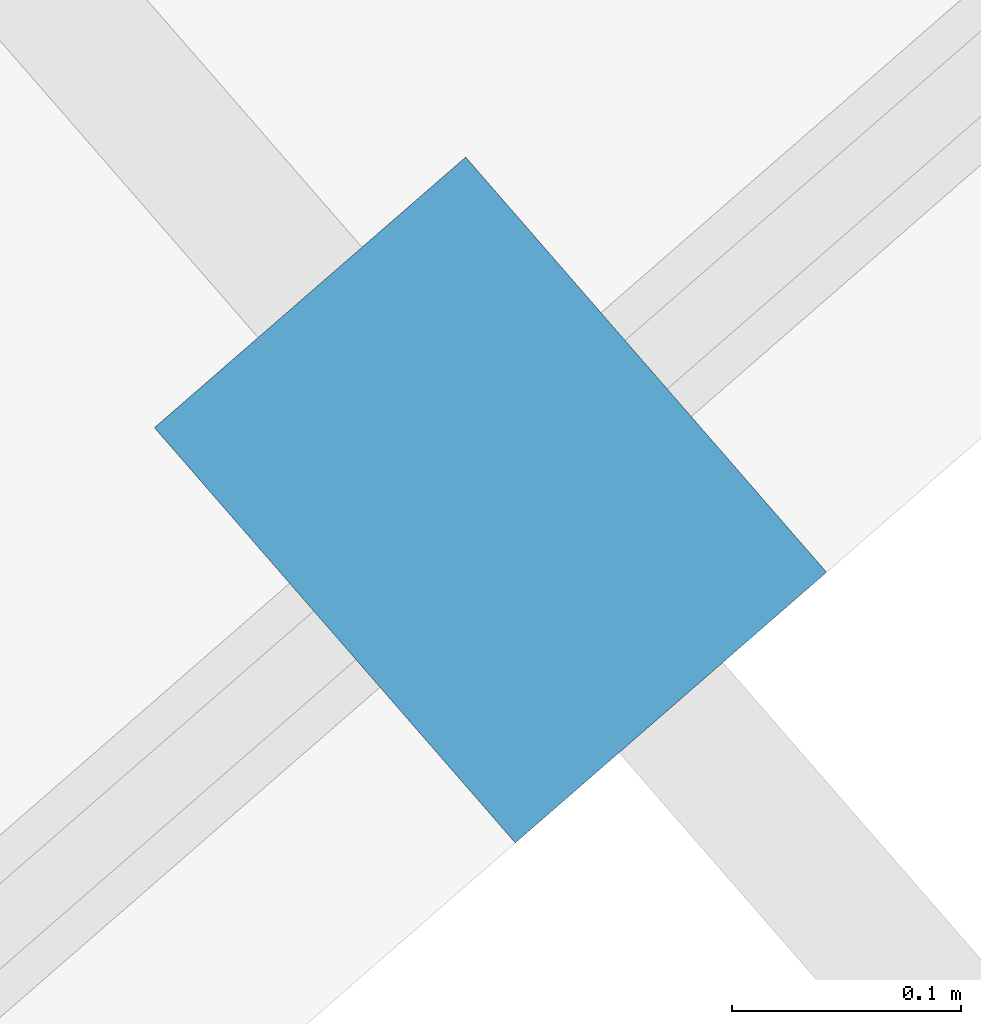
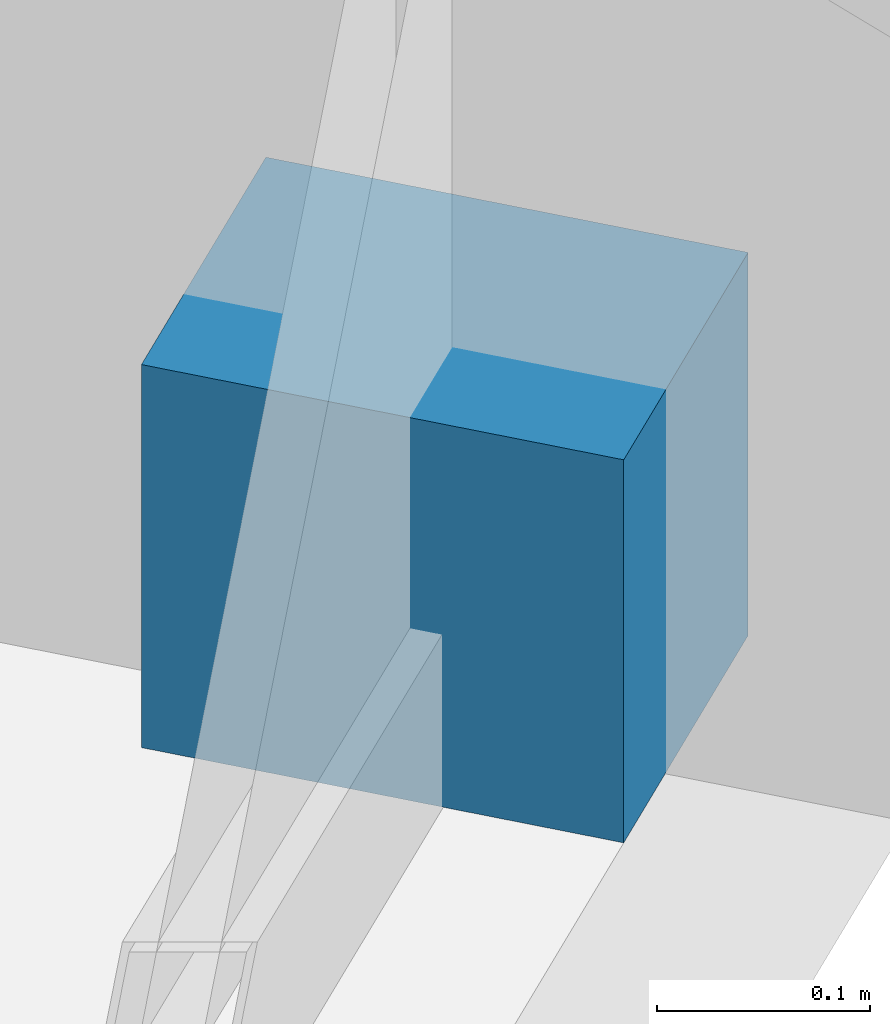
# One storey, part 22 of 25: 1 discrete accessory.
"""IFC4 building model written with IfcOpenShell, lengths in metres."""

import ifcopenshell
import ifcopenshell.guid

model = None  # the IFC model being written
_history = None  # IfcOwnerHistory: only IFC2X3 demands one
_inside = {}  # id of a spatial element -> (the spatial element, [elements in it])
_under = {}  # id of a project, library or spatial element -> (it, [spatial elements below it])
_declared = {}  # id of a project -> (the project, [libraries it declares])
_typed = {}  # id of a type object -> (the type object, [elements of that type])
_made_of = {}  # id of a material, layer set ... -> (it, [elements and type objects made of it])


def new_model(schema):
    """Start an empty IFC model of exactly this schema.

    Asked for "IFC4X3", IfcOpenShell would pick the latest addendum, in which some entities
    have other attributes; the version numbers below select the first issue.
    IFC2X3 requires an IfcOwnerHistory on every rooted entity: one is made here for all.
    """
    global model, _history
    if schema == "IFC4X3":
        model = ifcopenshell.file(schema_version=(4, 3, 0, 0))
    else:
        model = ifcopenshell.file(schema=schema)
    _inside.clear()
    _under.clear()
    _declared.clear()
    _typed.clear()
    _made_of.clear()
    _history = None
    if model.schema == "IFC2X3":
        org = make("IfcOrganization", Name="unknown")
        user = make(
            "IfcPersonAndOrganization",
            ThePerson=make("IfcPerson", FamilyName="unknown"),
            TheOrganization=org,
        )
        app = make(
            "IfcApplication",
            ApplicationDeveloper=org,
            Version="unknown",
            ApplicationFullName="unknown",
            ApplicationIdentifier="unknown",
        )
        _history = make(
            "IfcOwnerHistory",
            OwningUser=user,
            OwningApplication=app,
            ChangeAction="ADDED",
            CreationDate=0,
        )
    return model


def make(cls, **values):
    """One entity of the class cls with the attributes given. An attribute that is None is left unset."""
    return model.create_entity(
        cls, **{name: value for name, value in values.items() if value is not None}
    )


def rooted(cls, **values):
    """An entity with a GlobalId (a new one), such as an element, a storey or a relation."""
    return make(cls, GlobalId=ifcopenshell.guid.new(), OwnerHistory=_history, **values)


def si_unit(unit_type, name, prefix=None):
    """IfcSIUnit, for example si_unit("LENGTHUNIT", "METRE", prefix="MILLI")."""
    return make("IfcSIUnit", UnitType=unit_type, Prefix=prefix, Name=name)


def assignment(units):
    """IfcUnitAssignment: the units of a project."""
    return None if units is None else make("IfcUnitAssignment", Units=units)


def point(xyz):
    """IfcCartesianPoint."""
    return None if xyz is None else make("IfcCartesianPoint", Coordinates=xyz)


def direction(xyz):
    """IfcDirection."""
    return None if xyz is None else make("IfcDirection", DirectionRatios=xyz)


def frame(location, z_axis=None, x_axis=None):
    """IfcAxis2Placement3D, a coordinate frame: its origin and axes. An axis left out is left unset."""
    return make(
        "IfcAxis2Placement3D",
        Location=point(location),
        Axis=direction(z_axis),
        RefDirection=direction(x_axis),
    )


def frame_2d(location, x_axis=None):
    """IfcAxis2Placement2D, a coordinate frame in the plane: its origin and x axis."""
    return make(
        "IfcAxis2Placement2D", Location=point(location), RefDirection=direction(x_axis)
    )


def origin():
    """The frame at (0, 0, 0) with its axes left unset."""
    return frame((0.0, 0.0, 0.0))


def origin_2d():
    """The frame at (0, 0) in the plane with its x axis left unset."""
    return frame_2d((0.0, 0.0))


def place(relative_to, where):
    """IfcLocalPlacement: puts the frame where relative to a parent placement (None: the world)."""
    return make(
        "IfcLocalPlacement", PlacementRelTo=relative_to, RelativePlacement=where
    )


def context(
    kind, dimensions, precision=None, world=None, true_north=None, identifier=None
):
    """IfcGeometricRepresentationContext, for example the 3D "Model" context."""
    return make(
        "IfcGeometricRepresentationContext",
        ContextIdentifier=identifier,
        ContextType=kind,
        CoordinateSpaceDimension=dimensions,
        Precision=precision,
        WorldCoordinateSystem=world,
        TrueNorth=true_north,
    )


def subcontext(parent, identifier, kind, view, scale=None):
    """IfcGeometricRepresentationSubContext, for example "Body" below "Model"."""
    return make(
        "IfcGeometricRepresentationSubContext",
        ContextIdentifier=identifier,
        ContextType=kind,
        ParentContext=parent,
        TargetScale=scale,
        TargetView=view,
    )


def project(units=None, contexts=None):
    """IfcProject with its units and contexts."""
    return rooted(
        "IfcProject",
        Name="project",
        RepresentationContexts=contexts,
        UnitsInContext=assignment(units),
    )


def spatial(cls, under=None, at=None, **own):
    """A site, building, storey or space (cls), placed at a placement, below another one or the project."""
    s = rooted(cls, ObjectPlacement=at, **own)
    if under is not None:
        _under.setdefault(under.id(), (under, []))[1].append(s)
    return s


def profile(cls, at=None, kind="AREA", **sizes):
    """A parametric profile (cls). Its sizes go by their IFC names, for example OverallWidth=200.0."""
    return make(cls, ProfileType=kind, Position=at, **sizes)


def rectangle(**sizes):
    """IfcRectangleProfileDef."""
    return profile("IfcRectangleProfileDef", **sizes)


def extrude(swept, where, along, depth):
    """IfcExtrudedAreaSolid: the profile swept, set in the frame where, extruded along a direction by depth."""
    return make(
        "IfcExtrudedAreaSolid",
        SweptArea=swept,
        Position=where,
        ExtrudedDirection=direction(along),
        Depth=depth,
    )


def shape(context_of_items, identifier, shape_type, items):
    """IfcShapeRepresentation: the items that make up one representation, for example the "Body"."""
    return make(
        "IfcShapeRepresentation",
        ContextOfItems=context_of_items,
        RepresentationIdentifier=identifier,
        RepresentationType=shape_type,
        Items=items,
    )


def material(Name=None, Category=None):
    """IfcMaterial."""
    return make("IfcMaterial", Name=Name, Category=Category)


def made_of(thing, what):
    """Note that an element or type object is made of a material, layer set ...; save() writes the relation."""
    if what is not None:
        _made_of.setdefault(what.id(), (what, []))[1].append(thing)
    return thing


def type_object(cls, material=None, **own):
    """A type object (cls), such as IfcWallType, which elements share."""
    return made_of(rooted(cls, **own), material)


def element(
    cls,
    number,
    at=None,
    inside=None,
    cuts=None,
    type_object=None,
    material=None,
    context=None,
    identifier="Body",
    shape_type=None,
    held_by="IfcProductDefinitionShape",
    body=None,
    shapes=None,
    **own,
):
    """One element of the class cls, such as IfcWall. Its Tag is "e" and its number.

    at: its placement. inside: the storey or other place that contains it. cuts: it is an
    opening in that element (IfcRelVoidsElement). A single representation is given by context,
    identifier, shape_type and body (its items); several are given by shapes. held_by: the class
    of the entity that holds the representations. save() writes the other relations.
    """
    e = rooted(cls, Tag="e%d" % number, ObjectPlacement=at, **own)
    if body is not None:
        shapes = [shape(context, identifier, shape_type, body)]
    if shapes is not None:
        e.Representation = make(held_by, Representations=shapes)
    if inside is not None:
        _inside.setdefault(inside.id(), (inside, []))[1].append(e)
    if cuts is not None:
        rooted(
            "IfcRelVoidsElement", RelatingBuildingElement=cuts, RelatedOpeningElement=e
        )
    if type_object is not None:
        _typed.setdefault(type_object.id(), (type_object, []))[1].append(e)
    return made_of(e, material)


def aggregate(whole, parts):
    """IfcRelAggregates: a whole, such as a stair, and the parts it consists of."""
    return rooted("IfcRelAggregates", RelatingObject=whole, RelatedObjects=parts)


def save(model, path):
    """Write the relations noted so far, then the file.

    IfcRelAggregates (storeys below a building ...), IfcRelContainedInSpatialStructure (elements
    in a storey), IfcRelDefinesByType, IfcRelAssociatesMaterial and IfcRelDeclares: one each for
    every whole, place, type object, material and project.
    """
    for whole, parts in _under.values():
        aggregate(whole, parts)
    for where, things in _inside.values():
        rooted(
            "IfcRelContainedInSpatialStructure",
            RelatedElements=things,
            RelatingStructure=where,
        )
    for kind, things in _typed.values():
        rooted("IfcRelDefinesByType", RelatedObjects=things, RelatingType=kind)
    for what, things in _made_of.values():
        rooted("IfcRelAssociatesMaterial", RelatedObjects=things, RelatingMaterial=what)
    for by, libraries in _declared.values():
        rooted("IfcRelDeclares", RelatingContext=by, RelatedDefinitions=libraries)
    model.write(path)


model = new_model("IFC4")

# Units and contexts
model_context = context("Model", 3, precision=1e-05, world=origin(), true_north=direction((0.0, 1.0)))
body_context = subcontext(model_context, "Body", "Model", "MODEL_VIEW")
ifc_project = project(units=[si_unit("LENGTHUNIT", "METRE"), si_unit("AREAUNIT", "SQUARE_METRE"), si_unit("VOLUMEUNIT", "CUBIC_METRE"), si_unit("PLANEANGLEUNIT", "RADIAN"), si_unit("MASSUNIT", "GRAM", prefix="KILO")], contexts=[model_context])

# Site, building, storey
site_placement = place(None, origin())
site = spatial("IfcSite", under=ifc_project, at=site_placement, CompositionType="ELEMENT")
building_placement = place(site_placement, origin())
building = spatial("IfcBuilding", under=site, at=building_placement, Name="Kravanh Interchange Tower", CompositionType="ELEMENT")
storey_placement = place(building_placement, frame((0.0, 0.0, 73.5)))
storey = spatial("IfcBuildingStorey", under=building, at=storey_placement, Name="L17", CompositionType="ELEMENT", Elevation=73.5)

# Discrete accessory
ifc_material = material(Name="Stainless Steel 316", Category="steel")
discrete_accessory_type = type_object("IfcDiscreteAccessoryType", Name="Solar Fin Curtain-Wall Mounting Bracket Stainless 316", PredefinedType="BRACKET", material=ifc_material)
discrete_accessory_placement = place(storey_placement, frame((62.16943359375, 2.328369140625, 0.0), z_axis=(0.0, 0.0, 1.0), x_axis=(0.656067828783, -0.754701930589, 0.0)))
element("IfcDiscreteAccessory", 1, at=discrete_accessory_placement, inside=storey, type_object=discrete_accessory_type, Name="L17 Solar Fin Mounting Bracket 2", PredefinedType="BRACKET", context=body_context, shape_type="SweptSolid", body=[
    extrude(rectangle(XDim=0.239990234375, YDim=0.179931640625, at=origin_2d()), origin(), (0.0, 0.0, 1.0), 0.219970703125),
])

save(model, "model.ifc")
